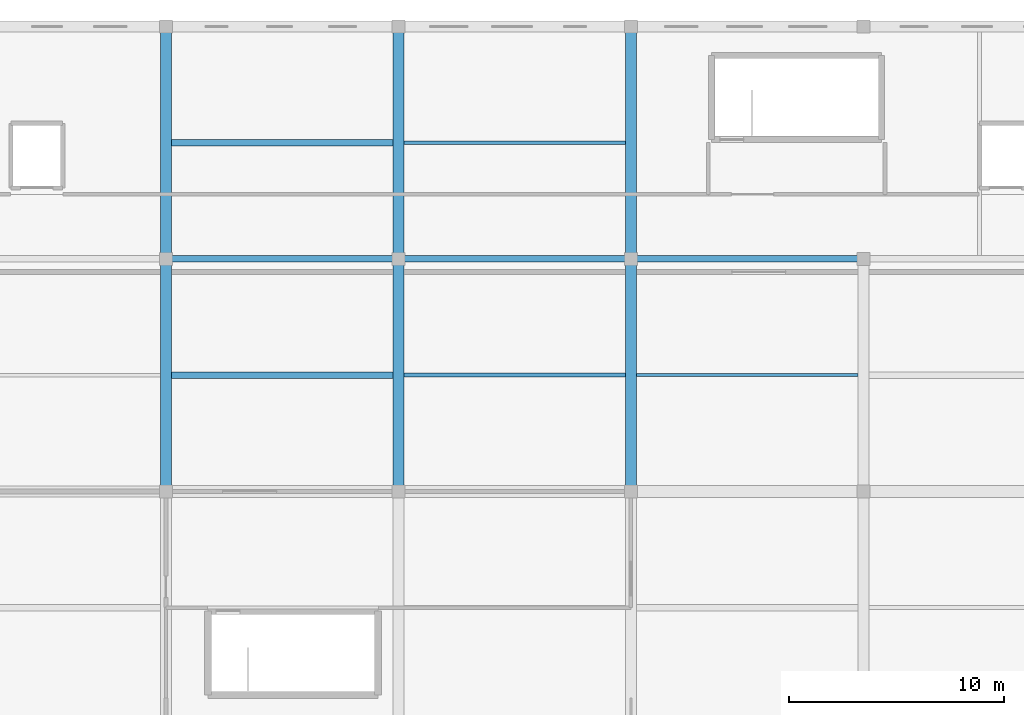
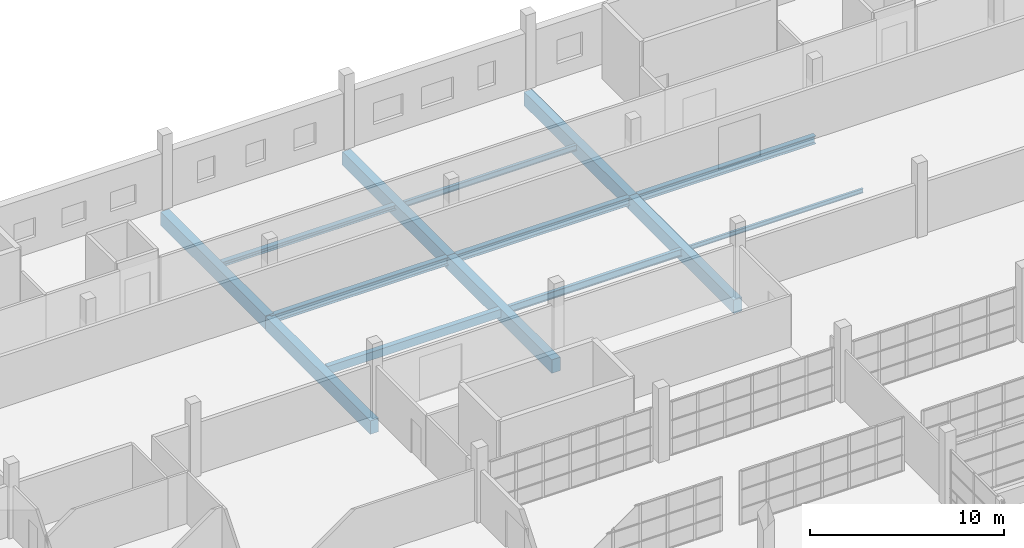
# One storey, part 48 of 142: 14 beams.
"""IFC4 building model written with IfcOpenShell, lengths in metres."""

from ifc_helpers import new_model, si_unit, direction, frame, origin, origin_2d, place, context, subcontext, project, spatial, rectangle, i_section, extrude, material, material_profile, profile_set, type_object, element, save


model = new_model("IFC4")

# Units and contexts
model_context = context("Model", 3, precision=1e-05, world=origin(), true_north=direction((0.0, 1.0)))
body_context = subcontext(model_context, "Body", "Model", "MODEL_VIEW")
ifc_project = project(units=[si_unit("LENGTHUNIT", "METRE"), si_unit("AREAUNIT", "SQUARE_METRE"), si_unit("VOLUMEUNIT", "CUBIC_METRE"), si_unit("PLANEANGLEUNIT", "RADIAN"), si_unit("MASSUNIT", "GRAM", prefix="KILO")], contexts=[model_context])

# Site, building, storey
site_placement = place(None, origin())
site = spatial("IfcSite", under=ifc_project, at=site_placement, CompositionType="ELEMENT")
building_placement = place(site_placement, origin())
building = spatial("IfcBuilding", under=site, at=building_placement, Name="Zwinboog Wholesale Market", CompositionType="ELEMENT")
storey_placement = place(building_placement, frame((0.0, 0.0, 5.39990234375)))
storey = spatial("IfcBuildingStorey", under=building, at=storey_placement, Name="L01", CompositionType="ELEMENT", Elevation=5.39990234375)

# Beams
ifc_material_1 = material(Name="Precast concrete C45/55", Category="concrete")
ifc_material_profile_1 = material_profile(ifc_material_1, rectangle(XDim=0.5, YDim=0.85009765625, at=origin_2d()), Name="PC 500x850")
ifc_profile_set_1 = profile_set([ifc_material_profile_1], Name="Precast concrete C45/55")
beam_type_1 = type_object("IfcBeamType", Name="BT-03", PredefinedType="BEAM", material=ifc_profile_set_1)
for number, where, z_axis, x_axis, name in (
    (1, (64.800048828125, 108.0, -0.7568359375), (0.0, 1.0, 0.0), (-1.0, 0.0, 0.0), "BG-03 (BMG-L01-0648-1080-0671)"),
    (2, (64.800048828125, 118.800048828125, -0.704833984375), (0.0, 1.0, 0.0), (-1.0, 0.0, 0.0), "BG-03 (BMG-L01-0648-1188-0672)"),
    (3, (75.60009765625, 108.0, -0.704833984375), (0.0, 1.0, 0.0), (-1.0, 0.0, 0.0), "BG-03 (BMG-L01-0756-1080-0679)"),
    (4, (75.60009765625, 118.800048828125, -0.704833984375), (0.0, 1.0, 0.0), (-1.0, 0.0, 0.0), "BG-03 (BMG-L01-0756-1188-0680)"),
    (5, (86.39990234375, 108.0, -0.72998046875), (0.0, 1.0, 0.0), (-1.0, 0.0, 0.0), "BG-03 (BMG-L01-0864-1080-0687)"),
    (6, (86.39990234375, 118.800048828125, -0.72998046875), (0.0, 1.0, 0.0), (-1.0, 0.0, 0.0), "BG-03 (BMG-L01-0864-1188-0688)"),
):
    element("IfcBeam", number, at=place(storey_placement, frame(where, z_axis=z_axis, x_axis=x_axis)), inside=storey, type_object=beam_type_1, Name=name, PredefinedType="BEAM", context=body_context, shape_type="SweptSolid", body=[
        extrude(rectangle(XDim=0.5, YDim=0.85009765625, at=origin_2d()), origin(), (0.0, 0.0, 1.0), 10.800048828125),
    ])
ifc_material_profile_2 = material_profile(ifc_material_1, rectangle(XDim=0.300048828125, YDim=0.5, at=origin_2d()), Name="PC 300x500")
ifc_profile_set_2 = profile_set([ifc_material_profile_2], Name="Precast concrete C45/55")
beam_type_2 = type_object("IfcBeamType", Name="BT-10", PredefinedType="JOIST", material=ifc_profile_set_2)
beam_1_placement = place(storey_placement, frame((65.050048828125, 113.39990234375, -0.52978515625), z_axis=(1.0, 0.0, 0.0), x_axis=(0.0, 1.0, 0.0)))
element("IfcBeam", 7, at=beam_1_placement, inside=storey, type_object=beam_type_2, Name="BJ-01 (BMG-L01-0650-1134-0867)", PredefinedType="JOIST", context=body_context, shape_type="SweptSolid", body=[
    extrude(rectangle(XDim=0.300048828125, YDim=0.5, at=origin_2d()), origin(), (0.0, 0.0, 1.0), 10.300048828125),
])
ifc_material_2 = material(Name="Steel S355", Category="steel")
ifc_material_profile_3 = material_profile(ifc_material_2, i_section(OverallWidth=0.300048828125, OverallDepth=0.5, WebThickness=0.014404296875, FlangeThickness=0.028076171875, FilletRadius=0.027099609375, at=origin_2d()), Name="HEB 500")
ifc_profile_set_3 = profile_set([ifc_material_profile_3], Name="Steel S355")
beam_type_3 = type_object("IfcBeamType", Name="BT-14", PredefinedType="BEAM", material=ifc_profile_set_3)
beam_2_placement = place(storey_placement, frame((64.800048828125, 118.800048828125, -0.52978515625), z_axis=(1.0, 0.0, 0.0), x_axis=(0.0, 1.0, 0.0)))
element("IfcBeam", 8, at=beam_2_placement, inside=storey, type_object=beam_type_3, Name="SB-01 (BMG-L01-0648-1188-0567)", PredefinedType="BEAM", context=body_context, shape_type="SweptSolid", body=[
    extrude(i_section(OverallWidth=0.300048828125, OverallDepth=0.5, WebThickness=0.014404296875, FlangeThickness=0.028076171875, FilletRadius=0.027099609375, at=origin_2d()), origin(), (0.0, 0.0, 1.0), 10.800048828125),
])
beam_3_placement = place(storey_placement, frame((75.60009765625, 118.800048828125, -0.554931640625), z_axis=(1.0, 0.0, 0.0), x_axis=(0.0, 1.0, 0.0)))
element("IfcBeam", 9, at=beam_3_placement, inside=storey, type_object=beam_type_3, Name="SB-01 (BMG-L01-0756-1188-0568)", PredefinedType="BEAM", context=body_context, shape_type="SweptSolid", body=[
    extrude(i_section(OverallWidth=0.300048828125, OverallDepth=0.5, WebThickness=0.014404296875, FlangeThickness=0.028076171875, FilletRadius=0.027099609375, at=origin_2d()), origin(), (0.0, 0.0, 1.0), 10.7998046875),
])
beam_4_placement = place(storey_placement, frame((86.39990234375, 118.800048828125, -0.554931640625), z_axis=(1.0, 0.0, 0.0), x_axis=(0.0, 1.0, 0.0)))
element("IfcBeam", 10, at=beam_4_placement, inside=storey, type_object=beam_type_3, Name="SB-01 (BMG-L01-0864-1188-0569)", PredefinedType="BEAM", context=body_context, shape_type="SweptSolid", body=[
    extrude(i_section(OverallWidth=0.300048828125, OverallDepth=0.5, WebThickness=0.014404296875, FlangeThickness=0.028076171875, FilletRadius=0.027099609375, at=origin_2d()), origin(), (0.0, 0.0, 1.0), 10.800048828125),
])
ifc_material_profile_4 = material_profile(ifc_material_2, i_section(OverallWidth=0.300048828125, OverallDepth=0.2900390625, WebThickness=0.008544921875, FlangeThickness=0.013916015625, FilletRadius=0.027099609375, at=origin_2d()), Name="HEA 300")
ifc_profile_set_4 = profile_set([ifc_material_profile_4], Name="Steel S355")
beam_type_4 = type_object("IfcBeamType", Name="BT-18", PredefinedType="JOIST", material=ifc_profile_set_4)
beam_5_placement = place(storey_placement, frame((65.050048828125, 124.199951171875, -0.4248046875), z_axis=(1.0, 0.0, 0.0), x_axis=(0.0, 1.0, 0.0)))
element("IfcBeam", 11, at=beam_5_placement, inside=storey, type_object=beam_type_4, Name="SJ-01 (BMG-L01-0650-1242-0868)", PredefinedType="JOIST", context=body_context, shape_type="SweptSolid", body=[
    extrude(i_section(OverallWidth=0.300048828125, OverallDepth=0.2900390625, WebThickness=0.008544921875, FlangeThickness=0.013916015625, FilletRadius=0.027099609375, at=origin_2d()), origin(), (0.0, 0.0, 1.0), 10.300048828125),
])
ifc_material_profile_5 = material_profile(ifc_material_2, i_section(OverallWidth=0.18994140625, OverallDepth=0.449951171875, WebThickness=0.009521484375, FlangeThickness=0.0146484375, FilletRadius=0.02099609375, at=origin_2d()), Name="IPE 450")
ifc_profile_set_5 = profile_set([ifc_material_profile_5], Name="Steel S355")
beam_type_5 = type_object("IfcBeamType", Name="BT-19", PredefinedType="JOIST", material=ifc_profile_set_5)
beam_6_placement = place(storey_placement, frame((75.85009765625, 113.39990234375, -0.52978515625), z_axis=(1.0, 0.0, 0.0), x_axis=(0.0, 1.0, 0.0)))
element("IfcBeam", 12, at=beam_6_placement, inside=storey, type_object=beam_type_5, Name="SJ-02 (BMG-L01-0758-1134-0869)", PredefinedType="JOIST", context=body_context, shape_type="SweptSolid", body=[
    extrude(i_section(OverallWidth=0.18994140625, OverallDepth=0.449951171875, WebThickness=0.009521484375, FlangeThickness=0.0146484375, FilletRadius=0.02099609375, at=origin_2d()), origin(), (0.0, 0.0, 1.0), 10.2998046875),
])
ifc_material_profile_6 = material_profile(ifc_material_2, i_section(OverallWidth=0.169921875, OverallDepth=0.360107421875, WebThickness=0.008056640625, FlangeThickness=0.0126953125, FilletRadius=0.01806640625, at=origin_2d()), Name="IPE 360")
ifc_profile_set_6 = profile_set([ifc_material_profile_6], Name="Steel S355")
beam_type_6 = type_object("IfcBeamType", Name="BT-20", PredefinedType="JOIST", material=ifc_profile_set_6)
beam_7_placement = place(storey_placement, frame((75.85009765625, 124.199951171875, -0.48486328125), z_axis=(1.0, 0.0, 0.0), x_axis=(0.0, 1.0, 0.0)))
element("IfcBeam", 13, at=beam_7_placement, inside=storey, type_object=beam_type_6, Name="SJ-03 (BMG-L01-0758-1242-0870)", PredefinedType="JOIST", context=body_context, shape_type="SweptSolid", body=[
    extrude(i_section(OverallWidth=0.169921875, OverallDepth=0.360107421875, WebThickness=0.008056640625, FlangeThickness=0.0126953125, FilletRadius=0.01806640625, at=origin_2d()), origin(), (0.0, 0.0, 1.0), 10.2998046875),
])
ifc_material_profile_7 = material_profile(ifc_material_2, i_section(OverallWidth=0.135009765625, OverallDepth=0.27001953125, WebThickness=0.006591796875, FlangeThickness=0.01025390625, FilletRadius=0.014892578125, at=origin_2d()), Name="IPE 270")
ifc_profile_set_7 = profile_set([ifc_material_profile_7], Name="Steel S355")
beam_type_7 = type_object("IfcBeamType", Name="BT-21", PredefinedType="JOIST", material=ifc_profile_set_7)
beam_8_placement = place(storey_placement, frame((86.64990234375, 113.39990234375, -0.43994140625), z_axis=(1.0, 0.0, 0.0), x_axis=(0.0, 1.0, 0.0)))
element("IfcBeam", 14, at=beam_8_placement, inside=storey, type_object=beam_type_7, Name="SJ-04 (BMG-L01-0866-1134-0871)", PredefinedType="JOIST", context=body_context, shape_type="SweptSolid", body=[
    extrude(i_section(OverallWidth=0.135009765625, OverallDepth=0.27001953125, WebThickness=0.006591796875, FlangeThickness=0.01025390625, FilletRadius=0.014892578125, at=origin_2d()), origin(), (0.0, 0.0, 1.0), 10.300048828125),
])

save(model, "model.ifc")
